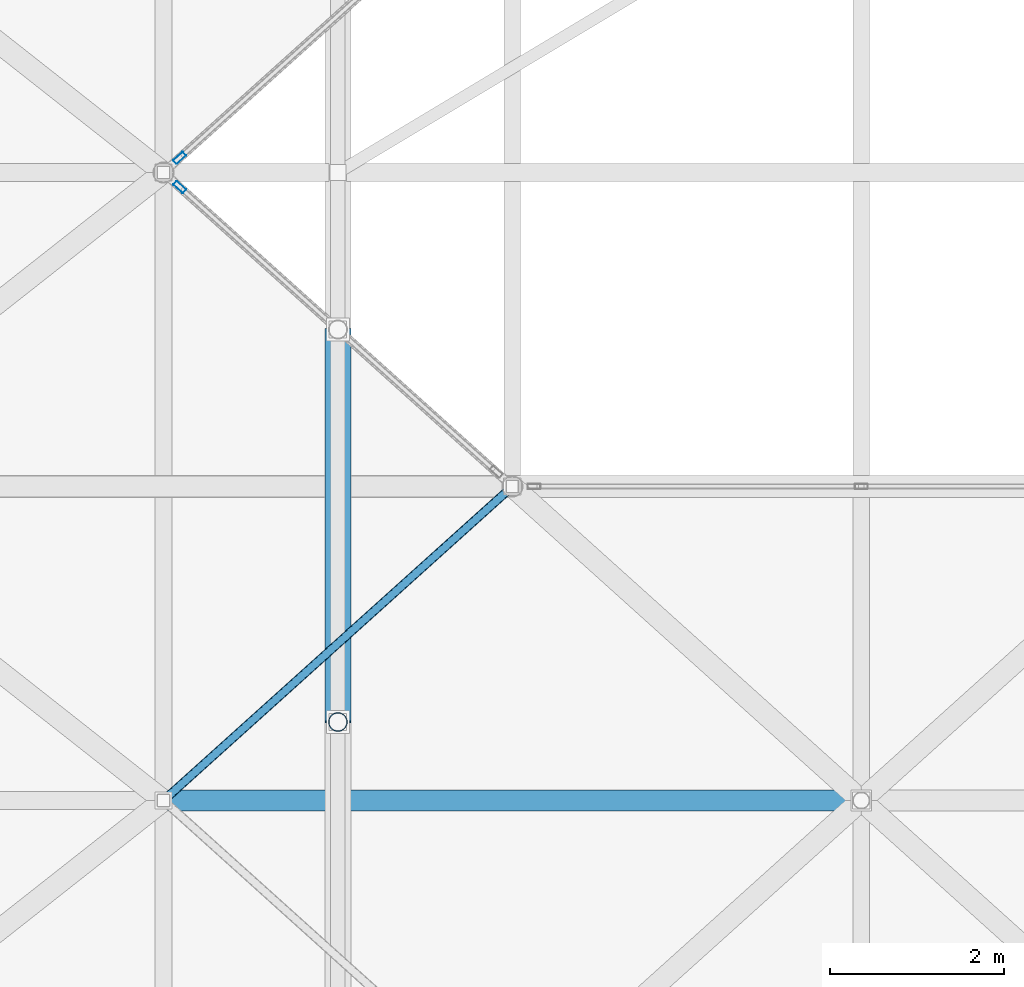
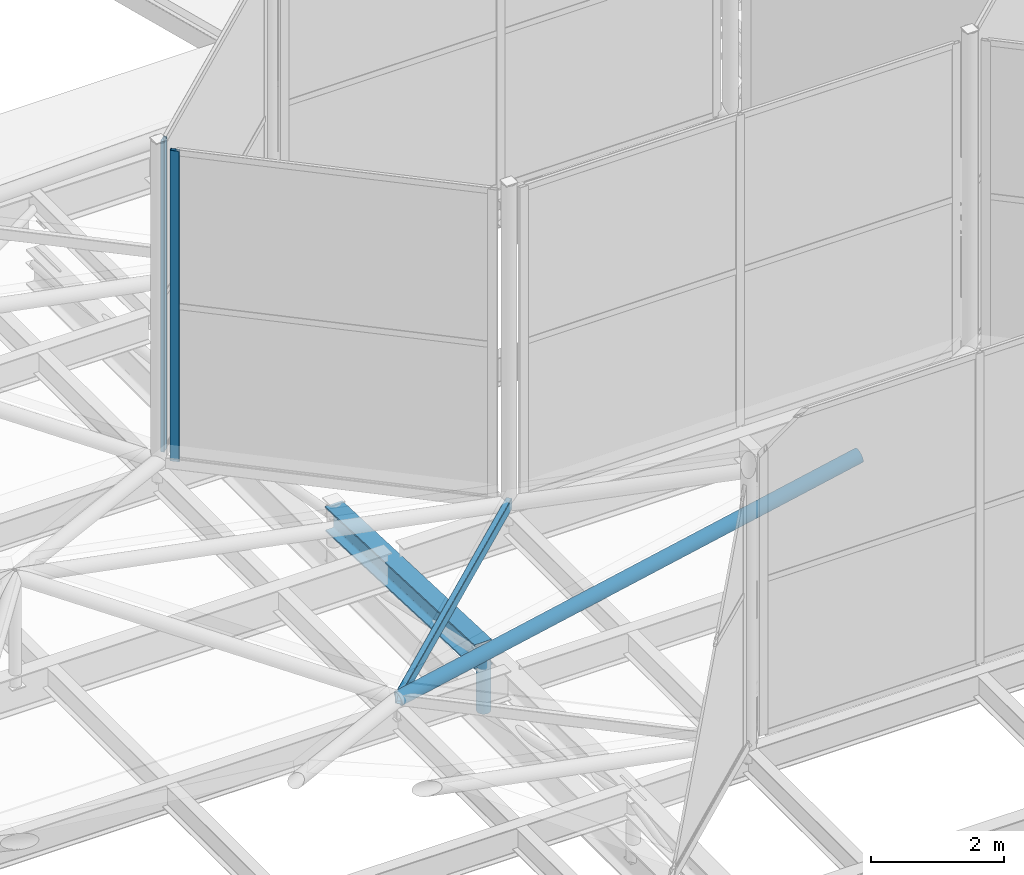
# One storey, part 66 of 239: 4 members, 2 beams, 2 elements without a shape of their own.
"""IFC4 building model written with IfcOpenShell, lengths in metres."""

from ifc_helpers import new_model, si_unit, direction, frame, origin, origin_2d, place, context, subcontext, project, spatial, hollow_rectangle, hollow_circle, i_section, extrude, material, layer, layer_set, material_profile, profile_set, type_object, element, aggregate, save


model = new_model("IFC4")

# Units and contexts
model_context = context("Model", 3, precision=1e-05, world=origin(), true_north=direction((0.0, 1.0)))
body_context = subcontext(model_context, "Body", "Model", "MODEL_VIEW")
ifc_project = project(units=[si_unit("LENGTHUNIT", "METRE"), si_unit("AREAUNIT", "SQUARE_METRE"), si_unit("VOLUMEUNIT", "CUBIC_METRE"), si_unit("PLANEANGLEUNIT", "RADIAN"), si_unit("MASSUNIT", "GRAM", prefix="KILO")], contexts=[model_context])

# Site, building, storey
site_placement = place(None, origin())
site = spatial("IfcSite", under=ifc_project, at=site_placement, CompositionType="ELEMENT")
building_placement = place(site_placement, origin())
building = spatial("IfcBuilding", under=site, at=building_placement, Name="Dunvalen Ferry Terminal", CompositionType="ELEMENT")
storey_placement = place(building_placement, frame((0.0, 0.0, 9.840087890625)))
storey = spatial("IfcBuildingStorey", under=building, at=storey_placement, Name="L02", CompositionType="ELEMENT", Elevation=9.840087890625)

# Curtain wall, member
ifc_material_1 = material(Name="Anodised marine aluminium and solar-control glazing", Category="aluminium")
ifc_layer_1 = layer(ifc_material_1, 0.179931640625, Name="Anodised marine aluminium and solar-control glazing")
ifc_layer_set_1 = layer_set([ifc_layer_1], Name="Anodised marine aluminium and solar-control glazing")
curtain_wall_type_1 = type_object("IfcCurtainWallType", Name="ENV-CW-SYS-05", PredefinedType="NOTDEFINED", material=ifc_layer_set_1)
curtain_wall_1_placement = place(storey_placement, origin())
curtain_wall_1 = element("IfcCurtainWall", 1, at=curtain_wall_1_placement, inside=storey, type_object=curtain_wall_type_1, Name="L02 Curtain Wall CW-HEX-16-SK-1", PredefinedType="NOTDEFINED")
ifc_material_2 = material(Name="Anodised marine aluminium EN AW-6063 T6", Category="aluminium")
ifc_material_profile_1 = material_profile(ifc_material_2, hollow_rectangle(XDim=0.06005859375, YDim=0.14990234375, WallThickness=0.00341796875, InnerFilletRadius=0.00341796875, OuterFilletRadius=0.007080078125, at=origin_2d()), Name="Anodised marine aluminium EN AW-6063 T6")
ifc_profile_set_1 = profile_set([ifc_material_profile_1], Name="Anodised marine aluminium EN AW-6063 T6")
member_type_1 = type_object("IfcMemberType", Name="ENV-CW-MUL-3", PredefinedType="MULLION", material=ifc_profile_set_1)
member_1_placement = place(storey_placement, frame((22.185791015625, 79.03271484375, 1.139892578125), z_axis=(0.0, 0.0, 1.0), x_axis=(0.668953550894, 0.74330420875, 0.0)))
member_1 = element("IfcMember", 2, at=member_1_placement, type_object=member_type_1, Name="CW-05 mullion 1", PredefinedType="MULLION", context=body_context, shape_type="SweptSolid", body=[
    extrude(hollow_rectangle(XDim=0.06005859375, YDim=0.14990234375, WallThickness=0.00341796875, InnerFilletRadius=0.00341796875, OuterFilletRadius=0.007080078125, at=origin_2d()), origin(), (0.0, 0.0, 1.0), 5.699951171875),
])
aggregate(curtain_wall_1, [member_1])

ifc_layer_2 = layer(ifc_material_1, 0.179931640625, Name="Anodised marine aluminium and solar-control glazing")
ifc_layer_set_2 = layer_set([ifc_layer_2], Name="Anodised marine aluminium and solar-control glazing")
curtain_wall_type_2 = type_object("IfcCurtainWallType", Name="ENV-CW-SYS-06", PredefinedType="NOTDEFINED", material=ifc_layer_set_2)
curtain_wall_2_placement = place(storey_placement, origin())
curtain_wall_2 = element("IfcCurtainWall", 3, at=curtain_wall_2_placement, inside=storey, type_object=curtain_wall_type_2, Name="L02 Curtain Wall CW-HEX-16-SK-6", PredefinedType="NOTDEFINED")
member_2_placement = place(storey_placement, frame((22.185791015625, 79.3671875, 1.139892578125), z_axis=(0.0, 0.0, 1.0), x_axis=(0.668953550894, -0.74330420875, 0.0)))
member_2 = element("IfcMember", 4, at=member_2_placement, type_object=member_type_1, Name="CW-06 mullion 2", PredefinedType="MULLION", context=body_context, shape_type="SweptSolid", body=[
    extrude(hollow_rectangle(XDim=0.06005859375, YDim=0.14990234375, WallThickness=0.00341796875, InnerFilletRadius=0.00341796875, OuterFilletRadius=0.007080078125, at=origin_2d()), origin(), (0.0, 0.0, 1.0), 5.699951171875),
])
aggregate(curtain_wall_2, [member_2])

# Beams
ifc_material_3 = material(Name="Steel S355", Category="steel")
ifc_material_profile_2 = material_profile(ifc_material_3, i_section(OverallWidth=0.300048828125, OverallDepth=0.449951171875, WebThickness=0.013916015625, FlangeThickness=0.02587890625, FilletRadius=0.027099609375, at=origin_2d()), Name="Steel S355")
ifc_profile_set_2 = profile_set([ifc_material_profile_2], Name="Steel S355")
beam_type_1 = type_object("IfcBeamType", Name="STR-BM-HEB450", PredefinedType="BEAM", material=ifc_profile_set_2)
beam_1_placement = place(storey_placement, frame((24.0, 72.89990234375, 0.65869140625), z_axis=(0.0, 0.999166564808, -0.040818816368), x_axis=(-1.0, 0.0, 0.0)))
element("IfcBeam", 5, at=beam_1_placement, inside=storey, type_object=beam_type_1, Name="Departure Hall Tied-Arch Rib 02.6", PredefinedType="BEAM", context=body_context, shape_type="SweptSolid", body=[
    extrude(i_section(OverallWidth=0.300048828125, OverallDepth=0.449951171875, WebThickness=0.013916015625, FlangeThickness=0.02587890625, FilletRadius=0.027099609375, at=origin_2d()), origin(), (0.0, 0.0, 1.0), 4.503662109375),
])
ifc_material_profile_3 = material_profile(ifc_material_3, hollow_rectangle(XDim=0.10009765625, YDim=0.199951171875, WallThickness=0.008056640625, InnerFilletRadius=0.008056640625, OuterFilletRadius=0.01611328125, at=origin_2d()), Name="Steel S355")
ifc_profile_set_3 = profile_set([ifc_material_profile_3], Name="Steel S355")
beam_type_2 = type_object("IfcBeamType", Name="STR-BM-RHS200", PredefinedType="BEAM", material=ifc_profile_set_3)
beam_2_placement = place(storey_placement, frame((22.0, 72.0, 1.099853515625), z_axis=(0.743285123004, 0.668974757313, 0.0), x_axis=(-0.668974757313, 0.743285123004, 0.0)))
element("IfcBeam", 6, at=beam_2_placement, inside=storey, type_object=beam_type_2, Name="HEX-10 Hexagonal Rim Beam 4", PredefinedType="BEAM", context=body_context, shape_type="SweptSolid", body=[
    extrude(hollow_rectangle(XDim=0.10009765625, YDim=0.199951171875, WallThickness=0.008056640625, InnerFilletRadius=0.008056640625, OuterFilletRadius=0.01611328125, at=origin_2d()), origin(), (0.0, 0.0, 1.0), 5.381591796875),
])

# Members
ifc_material_profile_4 = material_profile(ifc_material_3, hollow_circle(Radius=0.109619140625, WallThickness=0.010009765625, at=origin_2d()), Name="Steel S355")
ifc_profile_set_4 = profile_set([ifc_material_profile_4], Name="Steel S355")
member_type_2 = type_object("IfcMemberType", Name="STR-MB-CHS219", PredefinedType="STRUT", material=ifc_profile_set_4)
member_3_placement = place(storey_placement, frame((24.0, 72.89990234375, -0.360107421875), z_axis=(0.0, 0.0, 1.0), x_axis=(1.0, 0.0, 0.0)))
element("IfcMember", 7, at=member_3_placement, inside=storey, type_object=member_type_2, Name="Departure Hall Arch Spandrel Strut 02.5", PredefinedType="STRUT", context=body_context, shape_type="SweptSolid", body=[
    extrude(hollow_circle(Radius=0.109619140625, WallThickness=0.010009765625, at=origin_2d()), origin(), (0.0, 0.0, 1.0), 1.130126953125),
])
ifc_material_profile_5 = material_profile(ifc_material_3, hollow_circle(Radius=0.122314453125, WallThickness=0.010009765625, at=origin_2d()), Name="Steel S355")
ifc_profile_set_5 = profile_set([ifc_material_profile_5], Name="Steel S355")
member_type_3 = type_object("IfcMemberType", Name="STR-MB-CHS244", PredefinedType="STRUT", material=ifc_profile_set_5)
member_4_placement = place(storey_placement, frame((22.0, 72.0, 1.099853515625), z_axis=(0.979020171275, 0.0, 0.203763353518), x_axis=(0.0, 1.0, 0.0)))
element("IfcMember", 8, at=member_4_placement, inside=storey, type_object=member_type_3, Name="HEX-15 Pyramid Hip Rafter 1", PredefinedType="STRUT", context=body_context, shape_type="SweptSolid", body=[
    extrude(hollow_circle(Radius=0.122314453125, WallThickness=0.010009765625, at=origin_2d()), origin(), (0.0, 0.0, 1.0), 8.17138671875),
])

save(model, "model.ifc")
